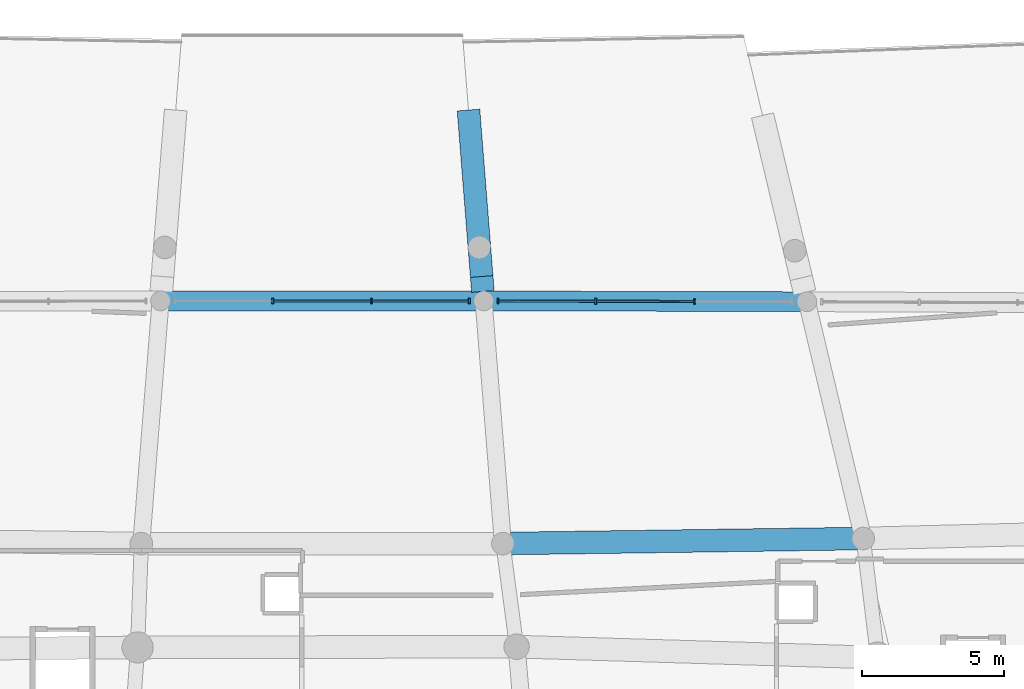
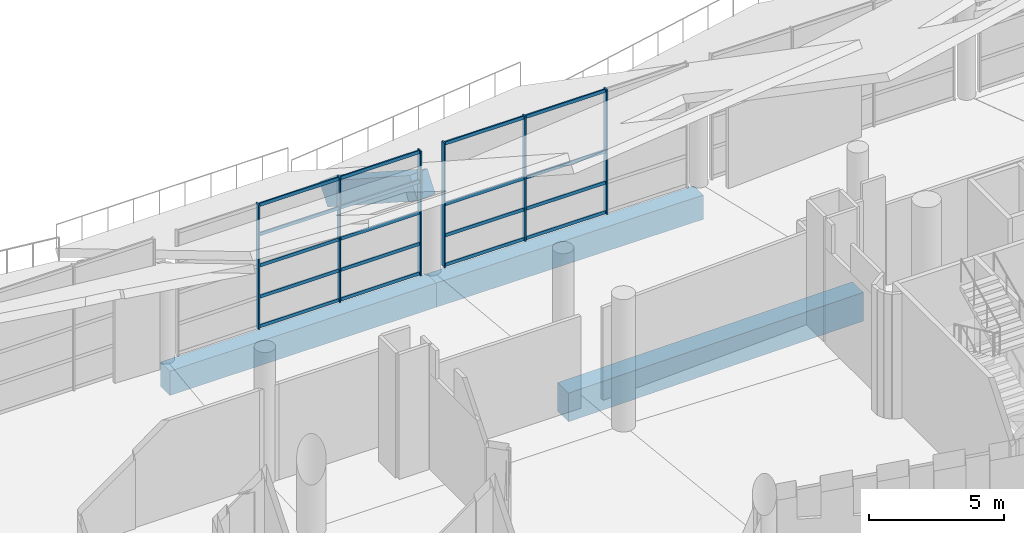
# One storey, part 19 of 249: 24 members, 4 beams, 2 elements without a shape of their own.
"""IFC4 building model written with IfcOpenShell, lengths in metres."""

from ifc_helpers import new_model, si_unit, direction, frame, origin, origin_2d, place, context, subcontext, project, spatial, rectangle, extrude, material, layer, layer_set, material_profile, profile_set, type_object, element, aggregate, save


model = new_model("IFC4")

# Units and contexts
model_context = context("Model", 3, precision=1e-05, world=origin(), true_north=direction((0.0, 1.0)))
body_context = subcontext(model_context, "Body", "Model", "MODEL_VIEW")
ifc_project = project(units=[si_unit("LENGTHUNIT", "METRE"), si_unit("AREAUNIT", "SQUARE_METRE"), si_unit("VOLUMEUNIT", "CUBIC_METRE"), si_unit("PLANEANGLEUNIT", "RADIAN"), si_unit("MASSUNIT", "GRAM", prefix="KILO")], contexts=[model_context])

# Site, building, storey
site_placement = place(None, origin())
site = spatial("IfcSite", under=ifc_project, at=site_placement, CompositionType="ELEMENT")
building_placement = place(site_placement, origin())
building = spatial("IfcBuilding", under=site, at=building_placement, Name="Meseta Stadium", CompositionType="ELEMENT")
storey_placement = place(building_placement, frame((0.0, 0.0, 12.0)))
storey = spatial("IfcBuildingStorey", under=building, at=storey_placement, Name="L02", CompositionType="ELEMENT", Elevation=12.0)

# Curtain wall, members
ifc_material_1 = material(Name="Aluminium", Category="aluminium")
ifc_layer = layer(ifc_material_1, 0.199951171875)
ifc_layer_set = layer_set([ifc_layer], Name="Suite glazing curtain wall")
curtain_wall_type = type_object("IfcCurtainWallType", Name="Suite glazing curtain wall", PredefinedType="NOTDEFINED", material=ifc_layer_set)
curtain_wall_1_placement = place(storey_placement, origin())
curtain_wall_1 = element("IfcCurtainWall", 1, at=curtain_wall_1_placement, inside=storey, type_object=curtain_wall_type, Name="Suite glazing bay 46", PredefinedType="NOTDEFINED")
ifc_material_2 = material(Name="Aluminium", Category="aluminium")
ifc_material_profile_1 = material_profile(ifc_material_2, rectangle(XDim=0.199951171875, YDim=0.06005859375, at=origin_2d()), Name="CW 200x60")
ifc_profile_set_1 = profile_set([ifc_material_profile_1], Name="Aluminium")
member_type_1 = type_object("IfcMemberType", Name="CW mullion 60x200", PredefinedType="MULLION", material=ifc_profile_set_1)
member_1_placement = place(storey_placement, frame((-1.7421875, -77.3037109375, 0.0), z_axis=(0.0, 0.0, 1.0), x_axis=(0.0, 1.0, 0.0)))
member_1 = element("IfcMember", 2, at=member_1_placement, type_object=member_type_1, Name="CWS mullion 2", PredefinedType="MULLION", context=body_context, shape_type="SweptSolid", body=[
    extrude(rectangle(XDim=0.199951171875, YDim=0.06005859375, at=origin_2d()), origin(), (0.0, 0.0, 1.0), 5.64990234375),
])
member_2_placement = place(storey_placement, frame((1.7421875, -77.3037109375, 0.0), z_axis=(0.0, 0.0, 1.0), x_axis=(0.0, 1.0, 0.0)))
member_2 = element("IfcMember", 3, at=member_2_placement, type_object=member_type_1, Name="CWS mullion 3", PredefinedType="MULLION", context=body_context, shape_type="SweptSolid", body=[
    extrude(rectangle(XDim=0.199951171875, YDim=0.06005859375, at=origin_2d()), origin(), (0.0, 0.0, 1.0), 5.64990234375),
])
member_3_placement = place(storey_placement, frame((5.1962890625, -77.3037109375, 0.0), z_axis=(0.0, 0.0, 1.0), x_axis=(0.0, 1.0, 0.0)))
member_3 = element("IfcMember", 4, at=member_3_placement, type_object=member_type_1, Name="CWS mullion 4", PredefinedType="MULLION", context=body_context, shape_type="SweptSolid", body=[
    extrude(rectangle(XDim=0.199951171875, YDim=0.06005859375, at=origin_2d()), origin(), (0.0, 0.0, 1.0), 5.64990234375),
])

curtain_wall_2_placement = place(storey_placement, origin())
curtain_wall_2 = element("IfcCurtainWall", 5, at=curtain_wall_2_placement, inside=storey, type_object=curtain_wall_type, Name="Suite glazing bay 47", PredefinedType="NOTDEFINED")
member_4_placement = place(storey_placement, frame((6.21728515625, -77.304931640625, 0.0), z_axis=(0.0, 0.0, 1.0), x_axis=(0.002485957037, 0.999996910004, 0.0)))
member_4 = element("IfcMember", 6, at=member_4_placement, type_object=member_type_1, Name="CWS mullion 1", PredefinedType="MULLION", context=body_context, shape_type="SweptSolid", body=[
    extrude(rectangle(XDim=0.199951171875, YDim=0.06005859375, at=origin_2d()), origin(), (0.0, 0.0, 1.0), 5.64990234375),
])
member_5_placement = place(storey_placement, frame((9.66943359375, -77.3134765625, 0.0), z_axis=(0.0, 0.0, 1.0), x_axis=(0.002485957037, 0.999996910004, 0.0)))
member_5 = element("IfcMember", 7, at=member_5_placement, type_object=member_type_1, Name="CWS mullion 2", PredefinedType="MULLION", context=body_context, shape_type="SweptSolid", body=[
    extrude(rectangle(XDim=0.199951171875, YDim=0.06005859375, at=origin_2d()), origin(), (0.0, 0.0, 1.0), 5.64990234375),
])
member_6_placement = place(storey_placement, frame((13.15185546875, -77.322265625, 0.0), z_axis=(0.0, 0.0, 1.0), x_axis=(0.002485957037, 0.999996910004, 0.0)))
member_6 = element("IfcMember", 8, at=member_6_placement, type_object=member_type_1, Name="CWS mullion 3", PredefinedType="MULLION", context=body_context, shape_type="SweptSolid", body=[
    extrude(rectangle(XDim=0.199951171875, YDim=0.06005859375, at=origin_2d()), origin(), (0.0, 0.0, 1.0), 5.64990234375),
])

# Member
ifc_material_3 = material(Name="Aluminium", Category="aluminium")
ifc_material_profile_2 = material_profile(ifc_material_3, rectangle(XDim=0.06005859375, YDim=0.14990234375, at=origin_2d()), Name="CW 60x150")
ifc_profile_set_2 = profile_set([ifc_material_profile_2], Name="Aluminium")
member_type_2 = type_object("IfcMemberType", Name="CW transom 60x150", PredefinedType="USERDEFINED", material=ifc_profile_set_2)
member_7_placement = place(storey_placement, frame((-1.712158203125, -77.3037109375, 0.074951171875), z_axis=(1.0, 0.0, 0.0), x_axis=(0.0, 1.0, 0.0)))
member_7 = element("IfcMember", 9, at=member_7_placement, type_object=member_type_2, Name="CWS transom 2.1", ObjectType="TRANSOM", PredefinedType="USERDEFINED", context=body_context, shape_type="SweptSolid", body=[
    extrude(rectangle(XDim=0.06005859375, YDim=0.14990234375, at=origin_2d()), origin(), (0.0, 0.0, 1.0), 3.42431640625),
])

member_8_placement = place(storey_placement, frame((-1.712158203125, -77.3037109375, 1.41259765625), z_axis=(1.0, 0.0, 0.0), x_axis=(0.0, 1.0, 0.0)))
member_8 = element("IfcMember", 10, at=member_8_placement, type_object=member_type_2, Name="CWS transom 2.2", ObjectType="TRANSOM", PredefinedType="USERDEFINED", context=body_context, shape_type="SweptSolid", body=[
    extrude(rectangle(XDim=0.06005859375, YDim=0.14990234375, at=origin_2d()), origin(), (0.0, 0.0, 1.0), 3.42431640625),
])

member_9_placement = place(storey_placement, frame((-1.712158203125, -77.3037109375, 2.824951171875), z_axis=(1.0, 0.0, 0.0), x_axis=(0.0, 1.0, 0.0)))
member_9 = element("IfcMember", 11, at=member_9_placement, type_object=member_type_2, Name="CWS transom 2.3", ObjectType="TRANSOM", PredefinedType="USERDEFINED", context=body_context, shape_type="SweptSolid", body=[
    extrude(rectangle(XDim=0.06005859375, YDim=0.14990234375, at=origin_2d()), origin(), (0.0, 0.0, 1.0), 3.42431640625),
])

member_10_placement = place(storey_placement, frame((-1.712158203125, -77.3037109375, 4.237548828125), z_axis=(1.0, 0.0, 0.0), x_axis=(0.0, 1.0, 0.0)))
member_10 = element("IfcMember", 12, at=member_10_placement, type_object=member_type_2, Name="CWS transom 2.4", ObjectType="TRANSOM", PredefinedType="USERDEFINED", context=body_context, shape_type="SweptSolid", body=[
    extrude(rectangle(XDim=0.06005859375, YDim=0.14990234375, at=origin_2d()), origin(), (0.0, 0.0, 1.0), 3.42431640625),
])

member_11_placement = place(storey_placement, frame((-1.712158203125, -77.3037109375, 5.574951171875), z_axis=(1.0, 0.0, 0.0), x_axis=(0.0, 1.0, 0.0)))
member_11 = element("IfcMember", 13, at=member_11_placement, type_object=member_type_2, Name="CWS transom 2.5", ObjectType="TRANSOM", PredefinedType="USERDEFINED", context=body_context, shape_type="SweptSolid", body=[
    extrude(rectangle(XDim=0.06005859375, YDim=0.14990234375, at=origin_2d()), origin(), (0.0, 0.0, 1.0), 3.42431640625),
])

member_12_placement = place(storey_placement, frame((1.77197265625, -77.3037109375, 0.074951171875), z_axis=(1.0, 0.0, 0.0), x_axis=(0.0, 1.0, 0.0)))
member_12 = element("IfcMember", 14, at=member_12_placement, type_object=member_type_2, Name="CWS transom 3.1", ObjectType="TRANSOM", PredefinedType="USERDEFINED", context=body_context, shape_type="SweptSolid", body=[
    extrude(rectangle(XDim=0.06005859375, YDim=0.14990234375, at=origin_2d()), origin(), (0.0, 0.0, 1.0), 3.394287109375),
])

member_13_placement = place(storey_placement, frame((1.77197265625, -77.3037109375, 1.41259765625), z_axis=(1.0, 0.0, 0.0), x_axis=(0.0, 1.0, 0.0)))
member_13 = element("IfcMember", 15, at=member_13_placement, type_object=member_type_2, Name="CWS transom 3.2", ObjectType="TRANSOM", PredefinedType="USERDEFINED", context=body_context, shape_type="SweptSolid", body=[
    extrude(rectangle(XDim=0.06005859375, YDim=0.14990234375, at=origin_2d()), origin(), (0.0, 0.0, 1.0), 3.394287109375),
])

member_14_placement = place(storey_placement, frame((1.77197265625, -77.3037109375, 2.824951171875), z_axis=(1.0, 0.0, 0.0), x_axis=(0.0, 1.0, 0.0)))
member_14 = element("IfcMember", 16, at=member_14_placement, type_object=member_type_2, Name="CWS transom 3.3", ObjectType="TRANSOM", PredefinedType="USERDEFINED", context=body_context, shape_type="SweptSolid", body=[
    extrude(rectangle(XDim=0.06005859375, YDim=0.14990234375, at=origin_2d()), origin(), (0.0, 0.0, 1.0), 3.394287109375),
])

member_15_placement = place(storey_placement, frame((1.77197265625, -77.3037109375, 4.237548828125), z_axis=(1.0, 0.0, 0.0), x_axis=(0.0, 1.0, 0.0)))
member_15 = element("IfcMember", 17, at=member_15_placement, type_object=member_type_2, Name="CWS transom 3.4", ObjectType="TRANSOM", PredefinedType="USERDEFINED", context=body_context, shape_type="SweptSolid", body=[
    extrude(rectangle(XDim=0.06005859375, YDim=0.14990234375, at=origin_2d()), origin(), (0.0, 0.0, 1.0), 3.394287109375),
])

member_16_placement = place(storey_placement, frame((1.77197265625, -77.3037109375, 5.574951171875), z_axis=(1.0, 0.0, 0.0), x_axis=(0.0, 1.0, 0.0)))
member_16 = element("IfcMember", 18, at=member_16_placement, type_object=member_type_2, Name="CWS transom 3.5", ObjectType="TRANSOM", PredefinedType="USERDEFINED", context=body_context, shape_type="SweptSolid", body=[
    extrude(rectangle(XDim=0.06005859375, YDim=0.14990234375, at=origin_2d()), origin(), (0.0, 0.0, 1.0), 3.394287109375),
])

aggregate(curtain_wall_1, [member_1, member_2, member_3, member_7, member_8, member_9, member_10, member_11, member_12, member_13, member_14, member_15, member_16])

member_17_placement = place(storey_placement, frame((6.247314453125, -77.304931640625, 0.074951171875), z_axis=(0.999996827151, -0.002519064989, 0.0), x_axis=(0.002519064989, 0.999996827151, 0.0)))
member_17 = element("IfcMember", 19, at=member_17_placement, type_object=member_type_2, Name="CWS transom 1.1", ObjectType="TRANSOM", PredefinedType="USERDEFINED", context=body_context, shape_type="SweptSolid", body=[
    extrude(rectangle(XDim=0.06005859375, YDim=0.14990234375, at=origin_2d()), origin(), (0.0, 0.0, 1.0), 3.39208984375),
])

member_18_placement = place(storey_placement, frame((6.247314453125, -77.304931640625, 1.41259765625), z_axis=(0.999996827151, -0.002519064989, 0.0), x_axis=(0.002519064989, 0.999996827151, 0.0)))
member_18 = element("IfcMember", 20, at=member_18_placement, type_object=member_type_2, Name="CWS transom 1.2", ObjectType="TRANSOM", PredefinedType="USERDEFINED", context=body_context, shape_type="SweptSolid", body=[
    extrude(rectangle(XDim=0.06005859375, YDim=0.14990234375, at=origin_2d()), origin(), (0.0, 0.0, 1.0), 3.39208984375),
])

member_19_placement = place(storey_placement, frame((6.247314453125, -77.304931640625, 2.824951171875), z_axis=(0.999996827151, -0.002519064989, 0.0), x_axis=(0.002519064989, 0.999996827151, 0.0)))
member_19 = element("IfcMember", 21, at=member_19_placement, type_object=member_type_2, Name="CWS transom 1.3", ObjectType="TRANSOM", PredefinedType="USERDEFINED", context=body_context, shape_type="SweptSolid", body=[
    extrude(rectangle(XDim=0.06005859375, YDim=0.14990234375, at=origin_2d()), origin(), (0.0, 0.0, 1.0), 3.39208984375),
])

member_20_placement = place(storey_placement, frame((6.247314453125, -77.304931640625, 5.574951171875), z_axis=(0.999996827151, -0.002519064989, 0.0), x_axis=(0.002519064989, 0.999996827151, 0.0)))
member_20 = element("IfcMember", 22, at=member_20_placement, type_object=member_type_2, Name="CWS transom 1.4", ObjectType="TRANSOM", PredefinedType="USERDEFINED", context=body_context, shape_type="SweptSolid", body=[
    extrude(rectangle(XDim=0.06005859375, YDim=0.14990234375, at=origin_2d()), origin(), (0.0, 0.0, 1.0), 3.39208984375),
])

member_21_placement = place(storey_placement, frame((9.699462890625, -77.313720703125, 0.074951171875), z_axis=(0.999997058602, -0.002425445855, 0.0), x_axis=(0.002425445855, 0.999997058602, 0.0)))
member_21 = element("IfcMember", 23, at=member_21_placement, type_object=member_type_2, Name="CWS transom 2.1", ObjectType="TRANSOM", PredefinedType="USERDEFINED", context=body_context, shape_type="SweptSolid", body=[
    extrude(rectangle(XDim=0.06005859375, YDim=0.14990234375, at=origin_2d()), origin(), (0.0, 0.0, 1.0), 3.42236328125),
])

member_22_placement = place(storey_placement, frame((9.699462890625, -77.313720703125, 1.41259765625), z_axis=(0.999997058602, -0.002425445855, 0.0), x_axis=(0.002425445855, 0.999997058602, 0.0)))
member_22 = element("IfcMember", 24, at=member_22_placement, type_object=member_type_2, Name="CWS transom 2.2", ObjectType="TRANSOM", PredefinedType="USERDEFINED", context=body_context, shape_type="SweptSolid", body=[
    extrude(rectangle(XDim=0.06005859375, YDim=0.14990234375, at=origin_2d()), origin(), (0.0, 0.0, 1.0), 3.42236328125),
])

member_23_placement = place(storey_placement, frame((9.699462890625, -77.313720703125, 2.824951171875), z_axis=(0.999997058602, -0.002425445855, 0.0), x_axis=(0.002425445855, 0.999997058602, 0.0)))
member_23 = element("IfcMember", 25, at=member_23_placement, type_object=member_type_2, Name="CWS transom 2.3", ObjectType="TRANSOM", PredefinedType="USERDEFINED", context=body_context, shape_type="SweptSolid", body=[
    extrude(rectangle(XDim=0.06005859375, YDim=0.14990234375, at=origin_2d()), origin(), (0.0, 0.0, 1.0), 3.42236328125),
])

member_24_placement = place(storey_placement, frame((9.699462890625, -77.313720703125, 5.574951171875), z_axis=(0.999997058602, -0.002425445855, 0.0), x_axis=(0.002425445855, 0.999997058602, 0.0)))
member_24 = element("IfcMember", 26, at=member_24_placement, type_object=member_type_2, Name="CWS transom 2.4", ObjectType="TRANSOM", PredefinedType="USERDEFINED", context=body_context, shape_type="SweptSolid", body=[
    extrude(rectangle(XDim=0.06005859375, YDim=0.14990234375, at=origin_2d()), origin(), (0.0, 0.0, 1.0), 3.42236328125),
])

aggregate(curtain_wall_2, [member_4, member_5, member_6, member_17, member_18, member_19, member_20, member_21, member_22, member_23, member_24])

# Beams
ifc_material_4 = material(Name="Concrete C40/50", Category="concrete")
ifc_material_profile_3 = material_profile(ifc_material_4, rectangle(XDim=0.699951171875, YDim=1.10009765625, at=origin_2d()), Name="RC 700x1100")
ifc_profile_set_3 = profile_set([ifc_material_profile_3], Name="Concrete C40/50")
beam_type_1 = type_object("IfcBeamType", Name="RC beam 700x1100", PredefinedType="BEAM", material=ifc_profile_set_3)
beam_1_placement = place(storey_placement, frame((-5.70654296875, -77.3037109375, -0.89990234375), z_axis=(1.0, 0.0, 0.0), x_axis=(0.0, 1.0, 0.0)))
element("IfcBeam", 27, at=beam_1_placement, inside=storey, type_object=beam_type_1, Name="L02 ring beam frame 46 line D", PredefinedType="BEAM", context=body_context, shape_type="SweptSolid", body=[
    extrude(rectangle(XDim=0.699951171875, YDim=1.10009765625, at=origin_2d()), origin(), (0.0, 0.0, 1.0), 11.4130859375),
])
beam_2_placement = place(storey_placement, frame((5.70654296875, -77.3037109375, -0.89990234375), z_axis=(0.999996925183, -0.002479843584, 0.0), x_axis=(0.002479843584, 0.999996925183, 0.0)))
element("IfcBeam", 28, at=beam_2_placement, inside=storey, type_object=beam_type_1, Name="L02 ring beam frame 47 line D", PredefinedType="BEAM", context=body_context, shape_type="SweptSolid", body=[
    extrude(rectangle(XDim=0.699951171875, YDim=1.10009765625, at=origin_2d()), origin(), (0.0, 0.0, 1.0), 11.420166015625),
])
ifc_material_5 = material(Name="Concrete C40/50", Category="concrete")
ifc_material_profile_4 = material_profile(ifc_material_5, rectangle(XDim=0.800048828125, YDim=1.300048828125, at=origin_2d()), Name="RC 800x1300")
ifc_profile_set_4 = profile_set([ifc_material_profile_4], Name="Concrete C40/50")
beam_type_2 = type_object("IfcBeamType", Name="RC beam 800x1300", PredefinedType="BEAM", material=ifc_profile_set_4)
beam_3_placement = place(storey_placement, frame((6.386962890625, -85.876708984375, -1.0), z_axis=(0.999901768948, 0.014016149746, 0.0), x_axis=(-0.014016149746, 0.999901768948, 0.0)))
element("IfcBeam", 29, at=beam_3_placement, inside=storey, type_object=beam_type_2, Name="L02 ring beam frame 47 line E", PredefinedType="BEAM", context=body_context, shape_type="SweptSolid", body=[
    extrude(rectangle(XDim=0.800048828125, YDim=1.300048828125, at=origin_2d()), origin(), (0.0, 0.0, 1.0), 12.73291015625),
])
ifc_material_6 = material(Name="Concrete C40/50", Category="concrete")
ifc_material_profile_5 = material_profile(ifc_material_6, rectangle(XDim=0.800048828125, YDim=1.0, at=origin_2d()), Name="RC 800x1000")
ifc_profile_set_5 = profile_set([ifc_material_profile_5], Name="Concrete C40/50")
beam_type_3 = type_object("IfcBeamType", Name="RC raker upper front 800x1000", PredefinedType="USERDEFINED", material=ifc_profile_set_5)
beam_4_placement = place(storey_placement, frame((5.1923828125, -70.82421875, -0.13330078125), z_axis=(0.067151942513, -0.846072330089, 0.528821547287), x_axis=(0.996865081746, 0.079120217364, 0.0)))
element("IfcBeam", 30, at=beam_4_placement, inside=storey, type_object=beam_type_3, Name="Raker upper front frame 47 upper tier", ObjectType="RAKER", PredefinedType="USERDEFINED", context=body_context, shape_type="SweptSolid", body=[
    extrude(rectangle(XDim=0.800048828125, YDim=1.0, at=origin_2d()), origin(), (0.0, 0.0, 1.0), 6.951416015625),
])

save(model, "model.ifc")
